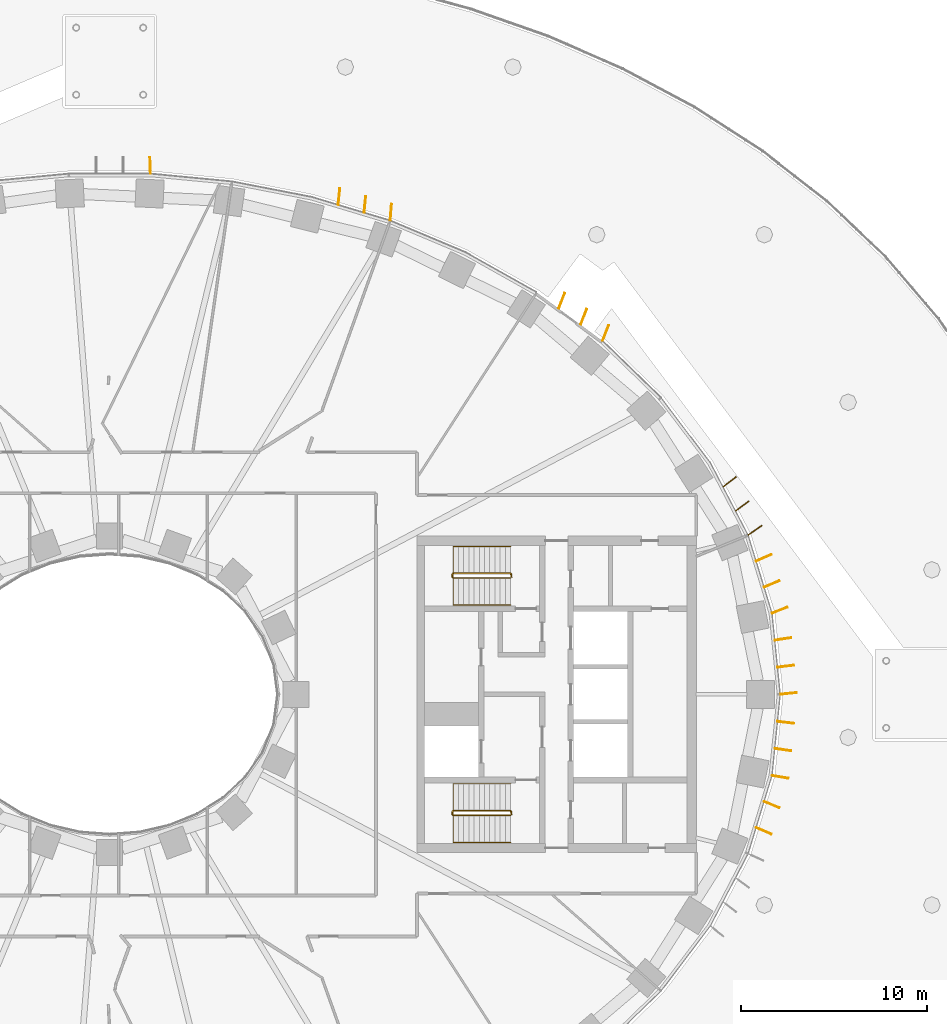
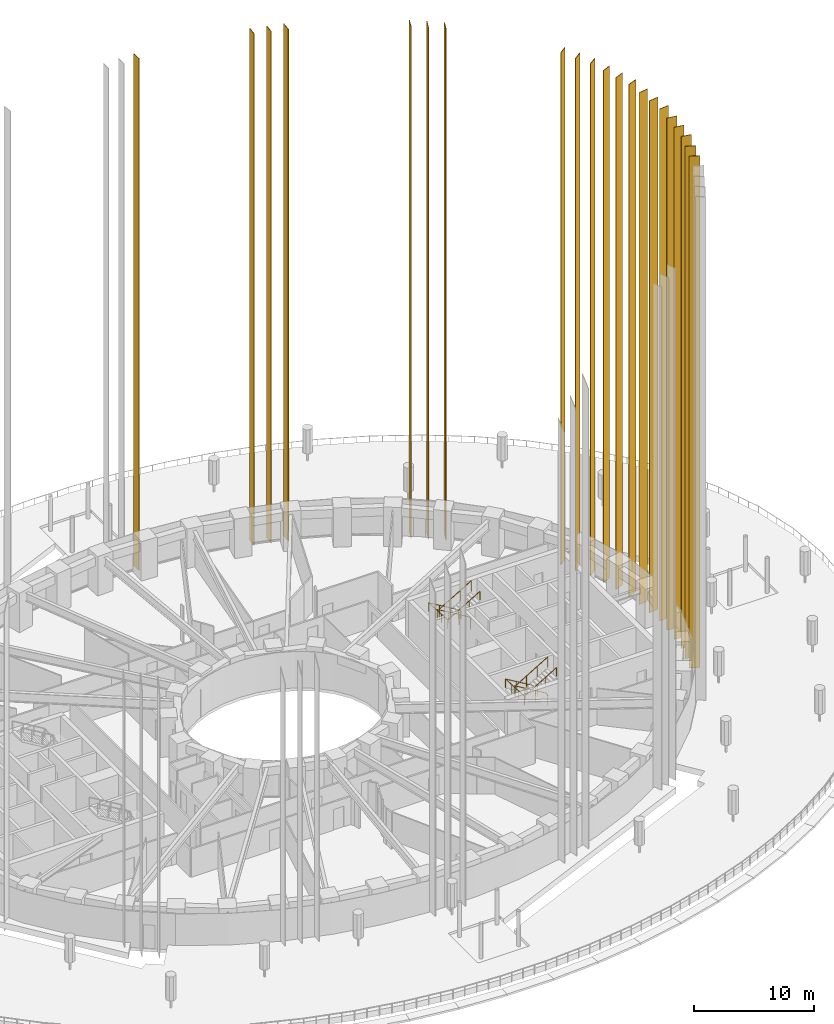
# One storey, part 28 of 30: 21 coverings, 4 railings.
"""IFC4 building model written with IfcOpenShell, lengths in metres."""

from ifc_helpers import new_model, si_unit, direction, frame, origin, origin_2d, place, context, subcontext, project, spatial, rectangle, extrude, material, material_profile, profile_set, type_object, element, save


model = new_model("IFC4")

# Units and contexts
model_context = context("Model", 3, precision=1e-05, world=origin(), true_north=direction((0.0, 1.0)))
body_context = subcontext(model_context, "Body", "Model", "MODEL_VIEW")
ifc_project = project(units=[si_unit("LENGTHUNIT", "METRE"), si_unit("AREAUNIT", "SQUARE_METRE"), si_unit("VOLUMEUNIT", "CUBIC_METRE"), si_unit("PLANEANGLEUNIT", "RADIAN"), si_unit("MASSUNIT", "GRAM", prefix="KILO")], contexts=[model_context])

# Site, building, storey
site_placement = place(None, origin())
site = spatial("IfcSite", under=ifc_project, at=site_placement, CompositionType="ELEMENT")
building_placement = place(site_placement, origin())
building = spatial("IfcBuilding", under=site, at=building_placement, Name="Noorbagh Ring Tower", CompositionType="ELEMENT")
storey_placement = place(building_placement, frame((0.0, 0.0, 30.5)))
storey = spatial("IfcBuildingStorey", under=building, at=storey_placement, Name="L05", CompositionType="ELEMENT", Elevation=30.5)

# Railings
ifc_material_1 = material(Name="Stainless steel", Category="steel")
railing_type_1 = type_object("IfcRailingType", Name="CORE-STAIR-GUARD", PredefinedType="GUARDRAIL", material=ifc_material_1)
railing_1_placement = place(storey_placement, frame((21.580078125, 6.449951171875, 0.0)))
element("IfcRailing", 1, at=railing_1_placement, inside=storey, type_object=railing_type_1, Name="L05 ST3 stair guard", PredefinedType="GUARDRAIL", context=body_context, shape_type="SweptSolid", body=[
    extrude(rectangle(XDim=0.048095703125, YDim=0.048095703125, at=origin_2d()), frame((0.0, 0.0, 1.076171875), z_axis=(0.0, -1.0, 0.0), x_axis=(1.0, 0.0, 0.0)), (0.0, 0.0, 1.0), 0.14990234375),
    extrude(rectangle(XDim=0.048095703125, YDim=0.048095703125, at=origin_2d()), frame((0.0, -0.14990234375, 1.076171875), z_axis=(-0.188775798145, 0.754182335027, 0.628945707965), x_axis=(-0.970072785993, -0.242814311512, 0.0)), (0.0, 0.0, 1.0), 0.26513671875),
    extrude(rectangle(XDim=0.048095703125, YDim=0.048095703125, at=origin_2d()), frame((-0.050048828125, 0.050048828125, 1.24267578125), z_axis=(-0.859308565015, 0.0, 0.511457515432), x_axis=(0.0, -1.0, 0.0)), (0.0, 0.0, 1.0), 3.58447265625),
    extrude(rectangle(XDim=0.048095703125, YDim=0.048095703125, at=origin_2d()), frame((-3.130126953125, 0.050048828125, 3.076171875), z_axis=(-0.707106781187, -0.707106781187, 0.0), x_axis=(0.707106781187, -0.707106781187, 0.0)), (0.0, 0.0, 1.0), 0.07080078125),
    extrude(rectangle(XDim=0.048095703125, YDim=0.048095703125, at=origin_2d()), frame((-3.18017578125, 0.0, 3.076171875), z_axis=(0.0, -1.0, 0.0), x_axis=(1.0, 0.0, 0.0)), (0.0, 0.0, 1.0), 0.14990234375),
    extrude(rectangle(XDim=0.048095703125, YDim=0.048095703125, at=origin_2d()), frame((-3.18017578125, -0.14990234375, 3.076171875), z_axis=(0.27628659633, -0.27628659633, 0.920506074601), x_axis=(0.707106781187, 0.707106781187, 0.0)), (0.0, 0.0, 1.0), 0.18115234375),
    extrude(rectangle(XDim=0.048095703125, YDim=0.048095703125, at=origin_2d()), frame((-3.130126953125, -0.199951171875, 3.24267578125), z_axis=(0.859308565015, 0.0, 0.511457515432), x_axis=(0.0, 1.0, 0.0)), (0.0, 0.0, 1.0), 3.58447265625),
    extrude(rectangle(XDim=0.0419921875, YDim=0.0419921875, at=origin_2d()), origin(), (0.0, 0.0, 1.0), 1.052001953125),
    extrude(rectangle(XDim=0.0419921875, YDim=0.0419921875, at=origin_2d()), frame((-1.07666015625, 0.050048828125, 0.77783203125)), (0.0, 0.0, 1.0), 1.052001953125),
    extrude(rectangle(XDim=0.0419921875, YDim=0.0419921875, at=origin_2d()), frame((-2.103515625, 0.050048828125, 1.388916015625)), (0.0, 0.0, 1.0), 1.052001953125),
    extrude(rectangle(XDim=0.0419921875, YDim=0.0419921875, at=origin_2d()), frame((-3.130126953125, 0.050048828125, 2.0)), (0.0, 0.0, 1.0), 1.052001953125),
    extrude(rectangle(XDim=0.0419921875, YDim=0.0419921875, at=origin_2d()), frame((-3.130126953125, -0.199951171875, 2.166748046875)), (0.0, 0.0, 1.0), 1.052001953125),
    extrude(rectangle(XDim=0.0419921875, YDim=0.0419921875, at=origin_2d()), frame((-2.103515625, -0.199951171875, 2.77783203125)), (0.0, 0.0, 1.0), 1.052001953125),
    extrude(rectangle(XDim=0.0419921875, YDim=0.0419921875, at=origin_2d()), frame((-1.07666015625, -0.199951171875, 3.388916015625)), (0.0, 0.0, 1.0), 1.052001953125),
    extrude(rectangle(XDim=0.0419921875, YDim=0.0419921875, at=origin_2d()), frame((-0.050048828125, -0.199951171875, 4.0)), (0.0, 0.0, 1.0), 1.052001953125),
])
railing_2_placement = place(storey_placement, frame((21.580078125, -6.300048828125, 0.0)))
element("IfcRailing", 2, at=railing_2_placement, inside=storey, type_object=railing_type_1, Name="L05 ST4 stair guard", PredefinedType="GUARDRAIL", context=body_context, shape_type="SweptSolid", body=[
    extrude(rectangle(XDim=0.048095703125, YDim=0.048095703125, at=origin_2d()), frame((0.0, 0.0, 1.076171875), z_axis=(0.0, -1.0, 0.0), x_axis=(1.0, 0.0, 0.0)), (0.0, 0.0, 1.0), 0.14990234375),
    extrude(rectangle(XDim=0.048095703125, YDim=0.048095703125, at=origin_2d()), frame((0.0, -0.14990234375, 1.076171875), z_axis=(-0.188775798145, 0.754182335027, 0.628945707965), x_axis=(-0.970072785993, -0.242814311512, 0.0)), (0.0, 0.0, 1.0), 0.26513671875),
    extrude(rectangle(XDim=0.048095703125, YDim=0.048095703125, at=origin_2d()), frame((-0.050048828125, 0.050048828125, 1.24267578125), z_axis=(-0.859308565015, 0.0, 0.511457515432), x_axis=(0.0, -1.0, 0.0)), (0.0, 0.0, 1.0), 3.58447265625),
    extrude(rectangle(XDim=0.048095703125, YDim=0.048095703125, at=origin_2d()), frame((-3.130126953125, 0.050048828125, 3.076171875), z_axis=(-0.707106781187, -0.707106781187, 0.0), x_axis=(0.707106781187, -0.707106781187, 0.0)), (0.0, 0.0, 1.0), 0.07080078125),
    extrude(rectangle(XDim=0.048095703125, YDim=0.048095703125, at=origin_2d()), frame((-3.18017578125, 0.0, 3.076171875), z_axis=(0.0, -1.0, 0.0), x_axis=(1.0, 0.0, 0.0)), (0.0, 0.0, 1.0), 0.14990234375),
    extrude(rectangle(XDim=0.048095703125, YDim=0.048095703125, at=origin_2d()), frame((-3.18017578125, -0.14990234375, 3.076171875), z_axis=(0.27628659633, -0.27628659633, 0.920506074601), x_axis=(0.707106781187, 0.707106781187, 0.0)), (0.0, 0.0, 1.0), 0.18115234375),
    extrude(rectangle(XDim=0.048095703125, YDim=0.048095703125, at=origin_2d()), frame((-3.130126953125, -0.199951171875, 3.24267578125), z_axis=(0.859308565015, 0.0, 0.511457515432), x_axis=(0.0, 1.0, 0.0)), (0.0, 0.0, 1.0), 3.58447265625),
    extrude(rectangle(XDim=0.0419921875, YDim=0.0419921875, at=origin_2d()), origin(), (0.0, 0.0, 1.0), 1.052001953125),
    extrude(rectangle(XDim=0.0419921875, YDim=0.0419921875, at=origin_2d()), frame((-1.07666015625, 0.050048828125, 0.77783203125)), (0.0, 0.0, 1.0), 1.052001953125),
    extrude(rectangle(XDim=0.0419921875, YDim=0.0419921875, at=origin_2d()), frame((-2.103515625, 0.050048828125, 1.388916015625)), (0.0, 0.0, 1.0), 1.052001953125),
    extrude(rectangle(XDim=0.0419921875, YDim=0.0419921875, at=origin_2d()), frame((-3.130126953125, 0.050048828125, 2.0)), (0.0, 0.0, 1.0), 1.052001953125),
    extrude(rectangle(XDim=0.0419921875, YDim=0.0419921875, at=origin_2d()), frame((-3.130126953125, -0.199951171875, 2.166748046875)), (0.0, 0.0, 1.0), 1.052001953125),
    extrude(rectangle(XDim=0.0419921875, YDim=0.0419921875, at=origin_2d()), frame((-2.103515625, -0.199951171875, 2.77783203125)), (0.0, 0.0, 1.0), 1.052001953125),
    extrude(rectangle(XDim=0.0419921875, YDim=0.0419921875, at=origin_2d()), frame((-1.07666015625, -0.199951171875, 3.388916015625)), (0.0, 0.0, 1.0), 1.052001953125),
    extrude(rectangle(XDim=0.0419921875, YDim=0.0419921875, at=origin_2d()), frame((-0.050048828125, -0.199951171875, 4.0)), (0.0, 0.0, 1.0), 1.052001953125),
])
ifc_material_2 = material(Name="Stainless steel", Category="steel")
railing_type_2 = type_object("IfcRailingType", Name="CORE-STAIR-HANDRAIL", PredefinedType="HANDRAIL", material=ifc_material_2)
railing_3_placement = place(storey_placement, frame((21.530029296875, 7.949951171875, 0.166748046875)))
element("IfcRailing", 3, at=railing_3_placement, inside=storey, type_object=railing_type_2, Name="L05 ST3 stair handrail", PredefinedType="HANDRAIL", context=body_context, shape_type="SweptSolid", body=[
    extrude(rectangle(XDim=0.048095703125, YDim=0.048095703125, at=origin_2d()), frame((0.0, 0.0, 0.8759765625), z_axis=(-0.859308565015, 0.0, 0.511457515432), x_axis=(0.0, -1.0, 0.0)), (0.0, 0.0, 1.0), 3.58447265625),
    extrude(rectangle(XDim=0.048095703125, YDim=0.048095703125, at=origin_2d()), frame((-3.080078125, 0.0, 2.708984375), z_axis=(0.0, -0.998601747152, 0.052863509014), x_axis=(1.0, 0.0, 0.0)), (0.0, 0.0, 1.0), 3.154296875),
    extrude(rectangle(XDim=0.048095703125, YDim=0.048095703125, at=origin_2d()), frame((-3.080078125, -3.14990234375, 2.8759765625), z_axis=(0.859308565015, 0.0, 0.511457515432), x_axis=(0.0, 1.0, 0.0)), (0.0, 0.0, 1.0), 3.58447265625),
    extrude(rectangle(XDim=0.0419921875, YDim=0.0419921875, at=origin_2d()), origin(), (0.0, 0.0, 1.0), 0.851806640625),
    extrude(rectangle(XDim=0.0419921875, YDim=0.0419921875, at=origin_2d()), frame((-1.026611328125, 0.0, 0.611083984375)), (0.0, 0.0, 1.0), 0.851806640625),
    extrude(rectangle(XDim=0.0419921875, YDim=0.0419921875, at=origin_2d()), frame((-2.053466796875, 0.0, 1.22216796875)), (0.0, 0.0, 1.0), 0.851806640625),
    extrude(rectangle(XDim=0.0419921875, YDim=0.0419921875, at=origin_2d()), frame((-3.080078125, 0.0, 1.833251953125)), (0.0, 0.0, 1.0), 0.851806640625),
    extrude(rectangle(XDim=0.0419921875, YDim=0.0419921875, at=origin_2d()), frame((-3.080078125, -1.050048828125, 1.888916015625)), (0.0, 0.0, 1.0), 0.851806640625),
    extrude(rectangle(XDim=0.0419921875, YDim=0.0419921875, at=origin_2d()), frame((-3.080078125, -2.099853515625, 1.9443359375)), (0.0, 0.0, 1.0), 0.851806640625),
    extrude(rectangle(XDim=0.0419921875, YDim=0.0419921875, at=origin_2d()), frame((-3.080078125, -3.14990234375, 2.0)), (0.0, 0.0, 1.0), 0.851806640625),
    extrude(rectangle(XDim=0.0419921875, YDim=0.0419921875, at=origin_2d()), frame((-2.053466796875, -3.14990234375, 2.611083984375)), (0.0, 0.0, 1.0), 0.851806640625),
    extrude(rectangle(XDim=0.0419921875, YDim=0.0419921875, at=origin_2d()), frame((-1.026611328125, -3.14990234375, 3.22216796875)), (0.0, 0.0, 1.0), 0.851806640625),
    extrude(rectangle(XDim=0.0419921875, YDim=0.0419921875, at=origin_2d()), frame((0.0, -3.14990234375, 3.833251953125)), (0.0, 0.0, 1.0), 0.851806640625),
])
railing_4_placement = place(storey_placement, frame((21.530029296875, -4.800048828125, 0.166748046875)))
element("IfcRailing", 4, at=railing_4_placement, inside=storey, type_object=railing_type_2, Name="L05 ST4 stair handrail", PredefinedType="HANDRAIL", context=body_context, shape_type="SweptSolid", body=[
    extrude(rectangle(XDim=0.048095703125, YDim=0.048095703125, at=origin_2d()), frame((0.0, 0.0, 0.8759765625), z_axis=(-0.859308565015, 0.0, 0.511457515432), x_axis=(0.0, -1.0, 0.0)), (0.0, 0.0, 1.0), 3.58447265625),
    extrude(rectangle(XDim=0.048095703125, YDim=0.048095703125, at=origin_2d()), frame((-3.080078125, 0.0, 2.708984375), z_axis=(0.0, -0.998601747152, 0.052863509014), x_axis=(1.0, 0.0, 0.0)), (0.0, 0.0, 1.0), 3.154296875),
    extrude(rectangle(XDim=0.048095703125, YDim=0.048095703125, at=origin_2d()), frame((-3.080078125, -3.14990234375, 2.8759765625), z_axis=(0.859308565015, 0.0, 0.511457515432), x_axis=(0.0, 1.0, 0.0)), (0.0, 0.0, 1.0), 3.58447265625),
    extrude(rectangle(XDim=0.0419921875, YDim=0.0419921875, at=origin_2d()), origin(), (0.0, 0.0, 1.0), 0.851806640625),
    extrude(rectangle(XDim=0.0419921875, YDim=0.0419921875, at=origin_2d()), frame((-1.026611328125, 0.0, 0.611083984375)), (0.0, 0.0, 1.0), 0.851806640625),
    extrude(rectangle(XDim=0.0419921875, YDim=0.0419921875, at=origin_2d()), frame((-2.053466796875, 0.0, 1.22216796875)), (0.0, 0.0, 1.0), 0.851806640625),
    extrude(rectangle(XDim=0.0419921875, YDim=0.0419921875, at=origin_2d()), frame((-3.080078125, 0.0, 1.833251953125)), (0.0, 0.0, 1.0), 0.851806640625),
    extrude(rectangle(XDim=0.0419921875, YDim=0.0419921875, at=origin_2d()), frame((-3.080078125, -1.050048828125, 1.888916015625)), (0.0, 0.0, 1.0), 0.851806640625),
    extrude(rectangle(XDim=0.0419921875, YDim=0.0419921875, at=origin_2d()), frame((-3.080078125, -2.099853515625, 1.9443359375)), (0.0, 0.0, 1.0), 0.851806640625),
    extrude(rectangle(XDim=0.0419921875, YDim=0.0419921875, at=origin_2d()), frame((-3.080078125, -3.14990234375, 2.0)), (0.0, 0.0, 1.0), 0.851806640625),
    extrude(rectangle(XDim=0.0419921875, YDim=0.0419921875, at=origin_2d()), frame((-2.053466796875, -3.14990234375, 2.611083984375)), (0.0, 0.0, 1.0), 0.851806640625),
    extrude(rectangle(XDim=0.0419921875, YDim=0.0419921875, at=origin_2d()), frame((-1.026611328125, -3.14990234375, 3.22216796875)), (0.0, 0.0, 1.0), 0.851806640625),
    extrude(rectangle(XDim=0.0419921875, YDim=0.0419921875, at=origin_2d()), frame((0.0, -3.14990234375, 3.833251953125)), (0.0, 0.0, 1.0), 0.851806640625),
])

# Coverings
ifc_material_3 = material(Name="Aluminium 6063-T6 black anodised", Category="aluminium")
ifc_material_profile = material_profile(ifc_material_3, rectangle(XDim=0.89990234375, YDim=0.050048828125, at=origin_2d()), Name="900x50")
ifc_profile_set = profile_set([ifc_material_profile], Name="Aluminium 6063-T6 black anodised")
covering_type = type_object("IfcCoveringType", Name="ENV-FIN", PredefinedType="CLADDING", material=ifc_profile_set)
for number, where, z_axis, x_axis, name in (
    (5, (36.4482421875, 0.045166015625, -0.284912109375), (0.0, 0.0, 1.0), (0.994969504864, 0.100178263068, 0.0), "Fin F01 1 L05-L17"),
    (6, (36.30126953125, 1.5087890625, -0.284912109375), (0.0, 0.0, 1.0), (0.992302876732, 0.12383457041, 0.0), "Fin F01 2 L05-L17"),
    (7, (36.154296875, 2.97216796875, -0.284912109375), (0.0, 0.0, 1.0), (0.989102941421, 0.147225579543, 0.0), "Fin F01 3 L05-L17"),
    (8, (35.9833984375, 4.520751953125, -0.284912109375), (0.0, 0.0, 1.0), (0.933362145395, 0.358936074453, 0.0), "Fin F02 1 L05-L17"),
    (9, (35.553466796875, 5.92724609375, -0.284912109375), (0.0, 0.0, 1.0), (0.925000661941, 0.379965492392, 0.0), "Fin F02 2 L05-L17"),
    (10, (35.123291015625, 7.3330078125, -0.284912109375), (0.0, 0.0, 1.0), (0.916474909008, 0.40009216583, 0.0), "Fin F02 3 L05-L17"),
    (11, (34.651611328125, 8.810791015625, -0.284912109375), (0.0, 0.0, 1.0), (0.815855460993, 0.57825588347, 0.0), "Fin F03 1 L05-L17"),
    (12, (33.9716796875, 10.113525390625, -0.284912109375), (0.0, 0.0, 1.0), (0.804260303023, 0.59427717858, 0.0), "Fin F03 2 L05-L17"),
    (13, (33.291748046875, 11.415771484375, -0.284912109375), (0.0, 0.0, 1.0), (0.793137535147, 0.609042568579, 0.0), "Fin F03 3 L05-L17"),
    (14, (26.633544921875, 19.406982421875, -0.284912109375), (0.0, 0.0, 1.0), (0.36956351025, 0.929205473451, 0.0), "Fin F06 1 L05-L17"),
    (15, (25.455078125, 20.2744140625, -0.284912109375), (0.0, 0.0, 1.0), (0.366046969104, 0.930596376745, 0.0), "Fin F06 2 L05-L17"),
    (16, (24.277587890625, 21.1416015625, -0.284912109375), (0.0, 0.0, 1.0), (0.364533046139, 0.931190452202, 0.0), "Fin F06 3 L05-L17"),
    (17, (15.102294921875, 25.884521484375, -0.284912109375), (0.0, 0.0, 1.0), (0.078357246483, 0.996925344208, 0.0), "Fin F09 1 L05-L17"),
    (18, (13.708740234375, 26.304931640625, -0.284912109375), (0.0, 0.0, 1.0), (0.092918421481, 0.995673725148, 0.0), "Fin F09 2 L05-L17"),
    (19, (12.31591796875, 26.72509765625, -0.284912109375), (0.0, 0.0, 1.0), (0.109101232004, 0.994030643982, 0.0), "Fin F09 3 L05-L17"),
    (20, (2.17724609375, 28.399169921875, -0.284912109375), (0.0, 0.0, 1.0), (-0.035640795498, 0.999364665023, 0.0), "Fin F12 1 L05-L17"),
    (21, (35.123291015625, -7.3330078125, -0.284912109375), (0.0, 0.0, 1.0), (0.916474909008, -0.40009216583, 0.0), "Fin F45 2 L05-L17"),
    (22, (35.553466796875, -5.92724609375, -0.284912109375), (0.0, 0.0, 1.0), (0.925000661941, -0.379965492392, 0.0), "Fin F45 3 L05-L17"),
    (23, (36.0068359375, -4.435546875, -0.284912109375), (0.0, 0.0, 1.0), (0.985418628789, -0.170147365642, 0.0), "Fin F46 1 L05-L17"),
    (24, (36.154296875, -2.97216796875, -0.284912109375), (0.0, 0.0, 1.0), (0.989102941421, -0.147225579543, 0.0), "Fin F46 2 L05-L17"),
    (25, (36.30126953125, -1.5087890625, -0.284912109375), (0.0, 0.0, 1.0), (0.992302876732, -0.12383457041, 0.0), "Fin F46 3 L05-L17"),
):
    element("IfcCovering", number, at=place(storey_placement, frame(where, z_axis=z_axis, x_axis=x_axis)), inside=storey, type_object=covering_type, Name=name, ObjectType="FIN", PredefinedType="CLADDING", context=body_context, shape_type="SweptSolid", body=[
        extrude(rectangle(XDim=0.89990234375, YDim=0.050048828125, at=origin_2d()), origin(), (0.0, 0.0, 1.0), 51.969970703125),
    ])

save(model, "model.ifc")
